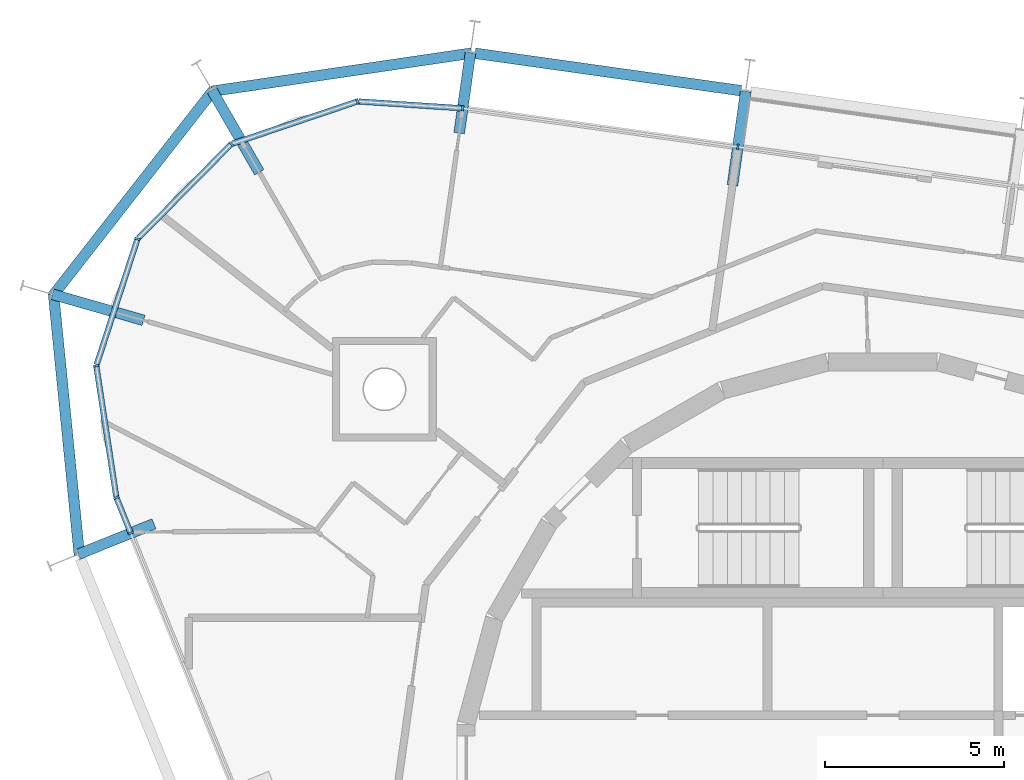
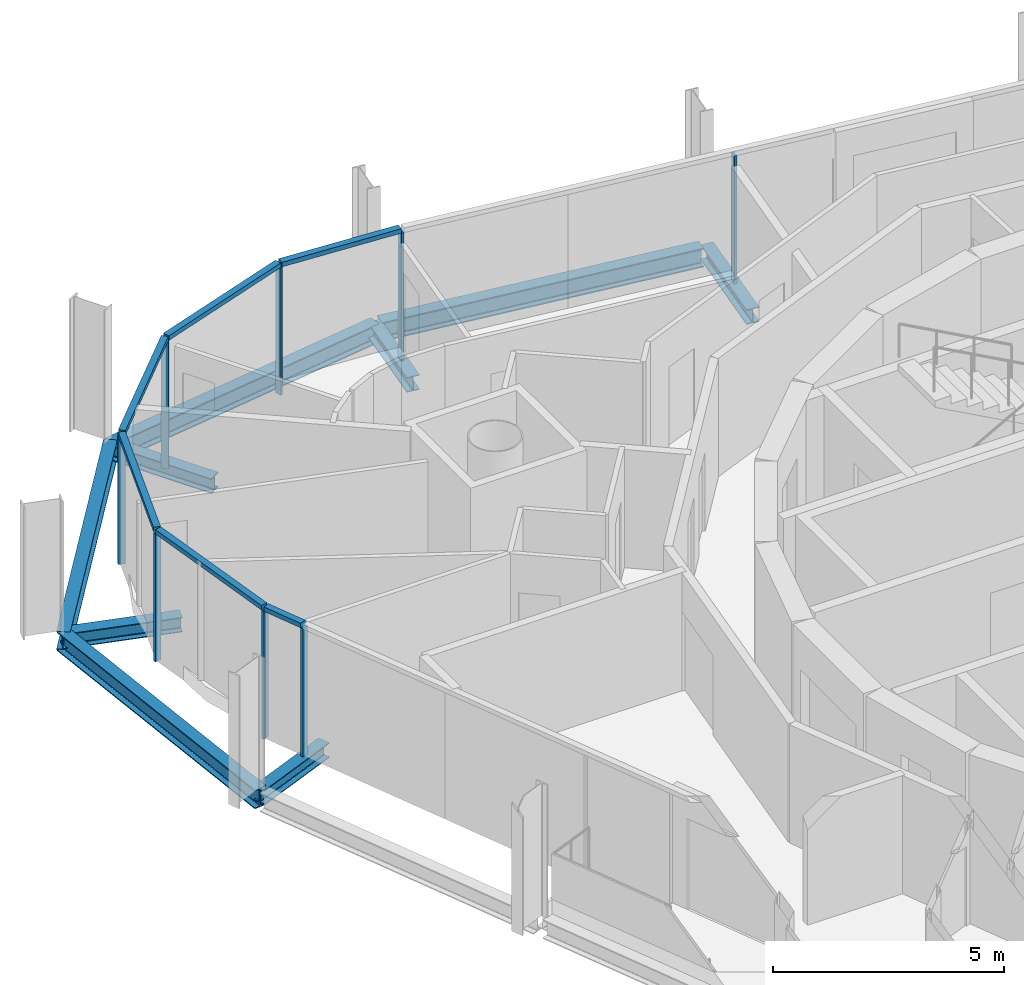
# One storey, part 5 of 15: 14 members, 9 beams, 3 elements without a shape of their own.
"""IFC4 building model written with IfcOpenShell, lengths in metres."""

from ifc_helpers import new_model, si_unit, direction, frame, origin, origin_2d, place, context, subcontext, project, spatial, rectangle, i_section, extrude, material, layer, layer_set, material_profile, profile_set, type_object, element, aggregate, save


model = new_model("IFC4")

# Units and contexts
model_context = context("Model", 3, precision=1e-05, world=origin(), true_north=direction((0.0, 1.0)))
body_context = subcontext(model_context, "Body", "Model", "MODEL_VIEW")
ifc_project = project(units=[si_unit("LENGTHUNIT", "METRE"), si_unit("AREAUNIT", "SQUARE_METRE"), si_unit("VOLUMEUNIT", "CUBIC_METRE"), si_unit("PLANEANGLEUNIT", "RADIAN"), si_unit("MASSUNIT", "GRAM", prefix="KILO")], contexts=[model_context])

# Site, building, storey
site_placement = place(None, origin())
site = spatial("IfcSite", under=ifc_project, at=site_placement, CompositionType="ELEMENT")
building_placement = place(site_placement, origin())
building = spatial("IfcBuilding", under=site, at=building_placement, Name="Spindle Arch Residences", CompositionType="ELEMENT")
storey_placement = place(building_placement, frame((0.0, 0.0, 340.0)))
storey = spatial("IfcBuildingStorey", under=building, at=storey_placement, Name="L87", CompositionType="ELEMENT", Elevation=340.0)

# Curtain wall, member
ifc_material_1 = material(Name="Aluminium bronze unitised frame with tinted glass", Category="aluminium")
ifc_layer_1 = layer(ifc_material_1, 0.159912109375)
ifc_layer_set_1 = layer_set([ifc_layer_1], Name="CW-C typical residential unitised wall")
curtain_wall_type_1 = type_object("IfcCurtainWallType", Name="CW-C typical residential unitised wall", PredefinedType="NOTDEFINED", material=ifc_layer_set_1)
curtain_wall_1_placement = place(storey_placement, origin())
curtain_wall_1 = element("IfcCurtainWall", 1, at=curtain_wall_1_placement, inside=storey, type_object=curtain_wall_type_1, Name="CW-C L87 run 2", PredefinedType="NOTDEFINED")
ifc_material_2 = material(Name="Aluminium bronze anodised mullion", Category="aluminium")
ifc_material_profile_1 = material_profile(ifc_material_2, rectangle(XDim=0.159912109375, YDim=0.06005859375, at=origin_2d()), Name="MU 60x160")
ifc_profile_set_1 = profile_set([ifc_material_profile_1], Name="Aluminium bronze anodised mullion")
member_type_1 = type_object("IfcMemberType", Name="Bronze mullion 60x160", PredefinedType="MULLION", material=ifc_profile_set_1)
member_1_placement = place(storey_placement, frame((-4.0537109375, 17.654296875, -0.3798828125), z_axis=(0.0, 0.0, 1.0), x_axis=(-0.13917310096, -0.990268068742, 0.0)))
member_1 = element("IfcMember", 2, at=member_1_placement, type_object=member_type_1, Name="CW-C mullion 07", PredefinedType="MULLION", context=body_context, shape_type="SweptSolid", body=[
    extrude(rectangle(XDim=0.159912109375, YDim=0.06005859375, at=origin_2d()), origin(), (0.0, 0.0, 1.0), 3.3798828125),
])
aggregate(curtain_wall_1, [member_1])

# Curtain wall, members
ifc_material_3 = material(Name="Aluminium bronze unitised frame with tinted glass", Category="aluminium")
ifc_layer_2 = layer(ifc_material_3, 0.159912109375)
ifc_layer_set_2 = layer_set([ifc_layer_2], Name="CW-D corner wall on the fillet arcs")
curtain_wall_type_2 = type_object("IfcCurtainWallType", Name="CW-D corner wall on the fillet arcs", PredefinedType="NOTDEFINED", material=ifc_layer_set_2)
curtain_wall_2_placement = place(storey_placement, origin())
curtain_wall_2 = element("IfcCurtainWall", 3, at=curtain_wall_2_placement, inside=storey, type_object=curtain_wall_type_2, Name="CW-D L87 run 3", PredefinedType="NOTDEFINED")
member_2_placement = place(storey_placement, frame((-11.74365234375, 18.735107421875, -0.3798828125), z_axis=(0.0, 0.0, 1.0), x_axis=(-0.065509719587, -0.99785193122, 0.0)))
member_2 = element("IfcMember", 4, at=member_2_placement, type_object=member_type_1, Name="CW-D mullion 00", PredefinedType="MULLION", context=body_context, shape_type="SweptSolid", body=[
    extrude(rectangle(XDim=0.159912109375, YDim=0.06005859375, at=origin_2d()), origin(), (0.0, 0.0, 1.0), 3.3798828125),
])
member_3_placement = place(storey_placement, frame((-14.6806640625, 18.927978515625, -0.3798828125), z_axis=(0.0, 0.0, 1.0), x_axis=(0.320061877599, -0.947396640541, 0.0)))
member_3 = element("IfcMember", 5, at=member_3_placement, type_object=member_type_1, Name="CW-D mullion 01", PredefinedType="MULLION", context=body_context, shape_type="SweptSolid", body=[
    extrude(rectangle(XDim=0.159912109375, YDim=0.06005859375, at=origin_2d()), origin(), (0.0, 0.0, 1.0), 3.3798828125),
])
member_4_placement = place(storey_placement, frame((-18.211181640625, 17.735107421875, -0.3798828125), z_axis=(0.0, 0.0, 1.0), x_axis=(0.711208574043, -0.702981055369, 0.0)))
member_4 = element("IfcMember", 6, at=member_4_placement, type_object=member_type_1, Name="CW-D mullion 02", PredefinedType="MULLION", context=body_context, shape_type="SweptSolid", body=[
    extrude(rectangle(XDim=0.159912109375, YDim=0.06005859375, at=origin_2d()), origin(), (0.0, 0.0, 1.0), 3.3798828125),
])
member_5_placement = place(storey_placement, frame((-20.8310546875, 15.084716796875, -0.3798828125), z_axis=(0.0, 0.0, 1.0), x_axis=(0.951056517498, -0.309016990673, 0.0)))
member_5 = element("IfcMember", 7, at=member_5_placement, type_object=member_type_1, Name="CW-D mullion 03", PredefinedType="MULLION", context=body_context, shape_type="SweptSolid", body=[
    extrude(rectangle(XDim=0.159912109375, YDim=0.06005859375, at=origin_2d()), origin(), (0.0, 0.0, 1.0), 3.3798828125),
])
member_6_placement = place(storey_placement, frame((-21.982666015625, 11.540283203125, -0.3798828125), z_axis=(0.0, 0.0, 1.0), x_axis=(0.988581718471, 0.150685718984, 0.0)))
member_6 = element("IfcMember", 8, at=member_6_placement, type_object=member_type_1, Name="CW-D mullion 04", PredefinedType="MULLION", context=body_context, shape_type="SweptSolid", body=[
    extrude(rectangle(XDim=0.159912109375, YDim=0.06005859375, at=origin_2d()), origin(), (0.0, 0.0, 1.0), 3.3798828125),
])
member_7_placement = place(storey_placement, frame((-21.421142578125, 7.856201171875, -0.3798828125), z_axis=(0.0, 0.0, 1.0), x_axis=(0.927183854567, 0.374606593416, 0.0)))
member_7 = element("IfcMember", 9, at=member_7_placement, type_object=member_type_1, Name="CW-D mullion 05", PredefinedType="MULLION", context=body_context, shape_type="SweptSolid", body=[
    extrude(rectangle(XDim=0.159912109375, YDim=0.06005859375, at=origin_2d()), origin(), (0.0, 0.0, 1.0), 3.3798828125),
])

# Curtain wall, member
curtain_wall_3_placement = place(storey_placement, origin())
curtain_wall_3 = element("IfcCurtainWall", 10, at=curtain_wall_3_placement, inside=storey, type_object=curtain_wall_type_1, Name="CW-C L87 run 4", PredefinedType="NOTDEFINED")
member_8_placement = place(storey_placement, frame((-21.019775390625, 6.862548828125, -0.3798828125), z_axis=(0.0, 0.0, 1.0), x_axis=(0.927183854567, 0.374606593416, 0.0)))
member_8 = element("IfcMember", 11, at=member_8_placement, type_object=member_type_1, Name="CW-C mullion 11", PredefinedType="MULLION", context=body_context, shape_type="SweptSolid", body=[
    extrude(rectangle(XDim=0.159912109375, YDim=0.06005859375, at=origin_2d()), origin(), (0.0, 0.0, 1.0), 3.3798828125),
])
aggregate(curtain_wall_3, [member_8])

# Member
ifc_material_4 = material(Name="Aluminium bronze anodised transom", Category="aluminium")
ifc_material_profile_2 = material_profile(ifc_material_4, rectangle(XDim=0.159912109375, YDim=0.1201171875, at=origin_2d()), Name="TR 120x160")
ifc_profile_set_2 = profile_set([ifc_material_profile_2], Name="Aluminium bronze anodised transom")
member_type_2 = type_object("IfcMemberType", Name="Bronze transom 120x160", PredefinedType="USERDEFINED", material=ifc_profile_set_2)
member_9_placement = place(storey_placement, frame((-11.773681640625, 18.737060546875, 3.06005859375), z_axis=(-0.997849873477, 0.065541055844, 0.0), x_axis=(-0.065541055844, -0.997849873477, 0.0)))
member_9 = element("IfcMember", 12, at=member_9_placement, type_object=member_type_2, Name="CW-D transom 00", ObjectType="TRANSOM", PredefinedType="USERDEFINED", context=body_context, shape_type="SweptSolid", body=[
    extrude(rectangle(XDim=0.159912109375, YDim=0.1201171875, at=origin_2d()), origin(), (0.0, 0.0, 1.0), 2.883056640625),
])

member_10_placement = place(storey_placement, frame((-14.708984375, 18.91845703125, 3.06005859375), z_axis=(-0.94739716915, -0.320060312889, 0.0), x_axis=(0.320060312889, -0.94739716915, 0.0)))
member_10 = element("IfcMember", 13, at=member_10_placement, type_object=member_type_2, Name="CW-D transom 01", ObjectType="TRANSOM", PredefinedType="USERDEFINED", context=body_context, shape_type="SweptSolid", body=[
    extrude(rectangle(XDim=0.159912109375, YDim=0.1201171875, at=origin_2d()), origin(), (0.0, 0.0, 1.0), 3.666748046875),
])

member_11_placement = place(storey_placement, frame((-18.232421875, 17.7138671875, 3.06005859375), z_axis=(-0.702966683093, -0.711222779769, 0.0), x_axis=(0.711222779769, -0.702966683093, 0.0)))
member_11 = element("IfcMember", 14, at=member_11_placement, type_object=member_type_2, Name="CW-D transom 02", ObjectType="TRANSOM", PredefinedType="USERDEFINED", context=body_context, shape_type="SweptSolid", body=[
    extrude(rectangle(XDim=0.159912109375, YDim=0.1201171875, at=origin_2d()), origin(), (0.0, 0.0, 1.0), 3.666748046875),
])

member_12_placement = place(storey_placement, frame((-20.84033203125, 15.05615234375, 3.06005859375), z_axis=(-0.309007783623, -0.951059509001, 0.0), x_axis=(0.951059509001, -0.309007783623, 0.0)))
member_12 = element("IfcMember", 15, at=member_12_placement, type_object=member_type_2, Name="CW-D transom 03", ObjectType="TRANSOM", PredefinedType="USERDEFINED", context=body_context, shape_type="SweptSolid", body=[
    extrude(rectangle(XDim=0.159912109375, YDim=0.1201171875, at=origin_2d()), origin(), (0.0, 0.0, 1.0), 3.666748046875),
])

member_13_placement = place(storey_placement, frame((-21.978271484375, 11.5107421875, 3.06005859375), z_axis=(0.150671164407, -0.988583936859, 0.0), x_axis=(0.988583936859, 0.150671164407, 0.0)))
member_13 = element("IfcMember", 16, at=member_13_placement, type_object=member_type_2, Name="CW-D transom 04", ObjectType="TRANSOM", PredefinedType="USERDEFINED", context=body_context, shape_type="SweptSolid", body=[
    extrude(rectangle(XDim=0.159912109375, YDim=0.1201171875, at=origin_2d()), origin(), (0.0, 0.0, 1.0), 3.666748046875),
])

member_14_placement = place(storey_placement, frame((-21.409912109375, 7.828369140625, 3.06005859375), z_axis=(0.374550833754, -0.927206380982, 0.0), x_axis=(0.927206380982, 0.374550833754, 0.0)))
member_14 = element("IfcMember", 17, at=member_14_placement, type_object=member_type_2, Name="CW-D transom 05", ObjectType="TRANSOM", PredefinedType="USERDEFINED", context=body_context, shape_type="SweptSolid", body=[
    extrude(rectangle(XDim=0.159912109375, YDim=0.1201171875, at=origin_2d()), origin(), (0.0, 0.0, 1.0), 1.01171875),
])

aggregate(curtain_wall_2, [member_2, member_9, member_3, member_10, member_4, member_11, member_5, member_12, member_6, member_13, member_7, member_14])

# Beams
ifc_material_5 = material(Name="Steel S460ML, intumescent coating R 120", Category="steel")
ifc_material_profile_3 = material_profile(ifc_material_5, i_section(OverallWidth=0.300048828125, OverallDepth=0.5, WebThickness=0.014404296875, FlangeThickness=0.028076171875, FilletRadius=0.027099609375, at=origin_2d()), Name="HEB 500")
ifc_profile_set_3 = profile_set([ifc_material_profile_3], Name="Steel S460ML, intumescent coating R 120")
beam_type_1 = type_object("IfcBeamType", Name="Exoskeleton edge beam HEB 500", PredefinedType="BEAM", material=ifc_profile_set_3)
beam_1_placement = place(storey_placement, frame((-3.964111328125, 19.227294921875, -0.6298828125), z_axis=(-0.990270241249, 0.13915764189, 0.0), x_axis=(-0.13915764189, -0.990270241249, 0.0)))
element("IfcBeam", 18, at=beam_1_placement, inside=storey, type_object=beam_type_1, Name="Exoskeleton edge beam 8", PredefinedType="BEAM", context=body_context, shape_type="SweptSolid", body=[
    extrude(i_section(OverallWidth=0.300048828125, OverallDepth=0.5, WebThickness=0.014404296875, FlangeThickness=0.028076171875, FilletRadius=0.027099609375, at=origin_2d()), origin(), (0.0, 0.0, 1.0), 7.50537109375),
])
beam_2_placement = place(storey_placement, frame((-11.505615234375, 20.27490234375, -0.6298828125), z_axis=(-0.989384491355, -0.145321465266, 0.0), x_axis=(0.145321465266, -0.989384491355, 0.0)))
element("IfcBeam", 19, at=beam_2_placement, inside=storey, type_object=beam_type_1, Name="Exoskeleton edge beam 9", PredefinedType="BEAM", context=body_context, shape_type="SweptSolid", body=[
    extrude(i_section(OverallWidth=0.300048828125, OverallDepth=0.5, WebThickness=0.014404296875, FlangeThickness=0.028076171875, FilletRadius=0.027099609375, at=origin_2d()), origin(), (0.0, 0.0, 1.0), 7.333251953125),
])
beam_3_placement = place(storey_placement, frame((-18.700927734375, 19.252685546875, -0.6298828125), z_axis=(-0.615671888322, -0.788002617971, 0.0), x_axis=(0.788002617971, -0.615671888322, 0.0)))
element("IfcBeam", 20, at=beam_3_placement, inside=storey, type_object=beam_type_1, Name="Exoskeleton edge beam 10", PredefinedType="BEAM", context=body_context, shape_type="SweptSolid", body=[
    extrude(i_section(OverallWidth=0.300048828125, OverallDepth=0.5, WebThickness=0.014404296875, FlangeThickness=0.028076171875, FilletRadius=0.027099609375, at=origin_2d()), origin(), (0.0, 0.0, 1.0), 7.31591796875),
])
beam_4_placement = place(storey_placement, frame((-23.177490234375, 13.556640625, -0.6298828125), z_axis=(0.098376359096, -0.995149281249, 0.0), x_axis=(0.995149281249, 0.098376359096, 0.0)))
element("IfcBeam", 21, at=beam_4_placement, inside=storey, type_object=beam_type_1, Name="Exoskeleton edge beam 11", PredefinedType="BEAM", context=body_context, shape_type="SweptSolid", body=[
    extrude(i_section(OverallWidth=0.300048828125, OverallDepth=0.5, WebThickness=0.014404296875, FlangeThickness=0.028076171875, FilletRadius=0.027099609375, at=origin_2d()), origin(), (0.0, 0.0, 1.0), 7.33349609375),
])
ifc_material_6 = material(Name="Steel S460ML, intumescent coating R 120", Category="steel")
ifc_material_profile_4 = material_profile(ifc_material_6, i_section(OverallWidth=0.300048828125, OverallDepth=0.389892578125, WebThickness=0.010986328125, FlangeThickness=0.01904296875, FilletRadius=0.027099609375, at=origin_2d()), Name="HEA 400")
ifc_profile_set_4 = profile_set([ifc_material_profile_4], Name="Steel S460ML, intumescent coating R 120")
beam_type_2 = type_object("IfcBeamType", Name="Floor outrigger HEA 400", PredefinedType="BEAM", material=ifc_profile_set_4)
beam_5_placement = place(storey_placement, frame((-3.835205078125, 19.208984375, -0.574951171875), z_axis=(-0.139215304089, -0.990262136562, 0.0), x_axis=(0.990262136562, -0.139215304089, 0.0)))
element("IfcBeam", 22, at=beam_5_placement, inside=storey, type_object=beam_type_2, Name="Floor outrigger 8", PredefinedType="BEAM", context=body_context, shape_type="SweptSolid", body=[
    extrude(i_section(OverallWidth=0.300048828125, OverallDepth=0.389892578125, WebThickness=0.010986328125, FlangeThickness=0.01904296875, FilletRadius=0.027099609375, at=origin_2d()), origin(), (0.0, 0.0, 1.0), 2.64990234375),
])
beam_6_placement = place(storey_placement, frame((-11.525146484375, 20.289794921875, -0.574951171875), z_axis=(-0.139236695956, -0.990259128965, 0.0), x_axis=(0.990259128965, -0.139236695956, 0.0)))
element("IfcBeam", 23, at=beam_6_placement, inside=storey, type_object=beam_type_2, Name="Floor outrigger 9", PredefinedType="BEAM", context=body_context, shape_type="SweptSolid", body=[
    extrude(i_section(OverallWidth=0.300048828125, OverallDepth=0.389892578125, WebThickness=0.010986328125, FlangeThickness=0.01904296875, FilletRadius=0.027099609375, at=origin_2d()), origin(), (0.0, 0.0, 1.0), 2.26904296875),
])
beam_7_placement = place(storey_placement, frame((-18.750732421875, 19.2421875, -0.574951171875), z_axis=(0.49963737375, -0.866234664945, 0.0), x_axis=(0.866234664945, 0.49963737375, 0.0)))
element("IfcBeam", 24, at=beam_7_placement, inside=storey, type_object=beam_type_2, Name="Floor outrigger 10", PredefinedType="BEAM", context=body_context, shape_type="SweptSolid", body=[
    extrude(i_section(OverallWidth=0.300048828125, OverallDepth=0.389892578125, WebThickness=0.010986328125, FlangeThickness=0.01904296875, FilletRadius=0.027099609375, at=origin_2d()), origin(), (0.0, 0.0, 1.0), 2.64990234375),
])
beam_8_placement = place(storey_placement, frame((-23.20703125, 13.53857421875, -0.574951171875), z_axis=(0.961395217741, -0.275171283575, 0.0), x_axis=(0.275171283575, 0.961395217741, 0.0)))
element("IfcBeam", 25, at=beam_8_placement, inside=storey, type_object=beam_type_2, Name="Floor outrigger 11", PredefinedType="BEAM", context=body_context, shape_type="SweptSolid", body=[
    extrude(i_section(OverallWidth=0.300048828125, OverallDepth=0.389892578125, WebThickness=0.010986328125, FlangeThickness=0.01904296875, FilletRadius=0.027099609375, at=origin_2d()), origin(), (0.0, 0.0, 1.0), 2.650146484375),
])
beam_9_placement = place(storey_placement, frame((-22.475341796875, 6.2744140625, -0.574951171875), z_axis=(0.927202315329, 0.374560898185, 0.0), x_axis=(-0.374560898185, 0.927202315329, 0.0)))
element("IfcBeam", 26, at=beam_9_placement, inside=storey, type_object=beam_type_2, Name="Floor outrigger 12", PredefinedType="BEAM", context=body_context, shape_type="SweptSolid", body=[
    extrude(i_section(OverallWidth=0.300048828125, OverallDepth=0.389892578125, WebThickness=0.010986328125, FlangeThickness=0.01904296875, FilletRadius=0.027099609375, at=origin_2d()), origin(), (0.0, 0.0, 1.0), 2.26904296875),
])

save(model, "model.ifc")
